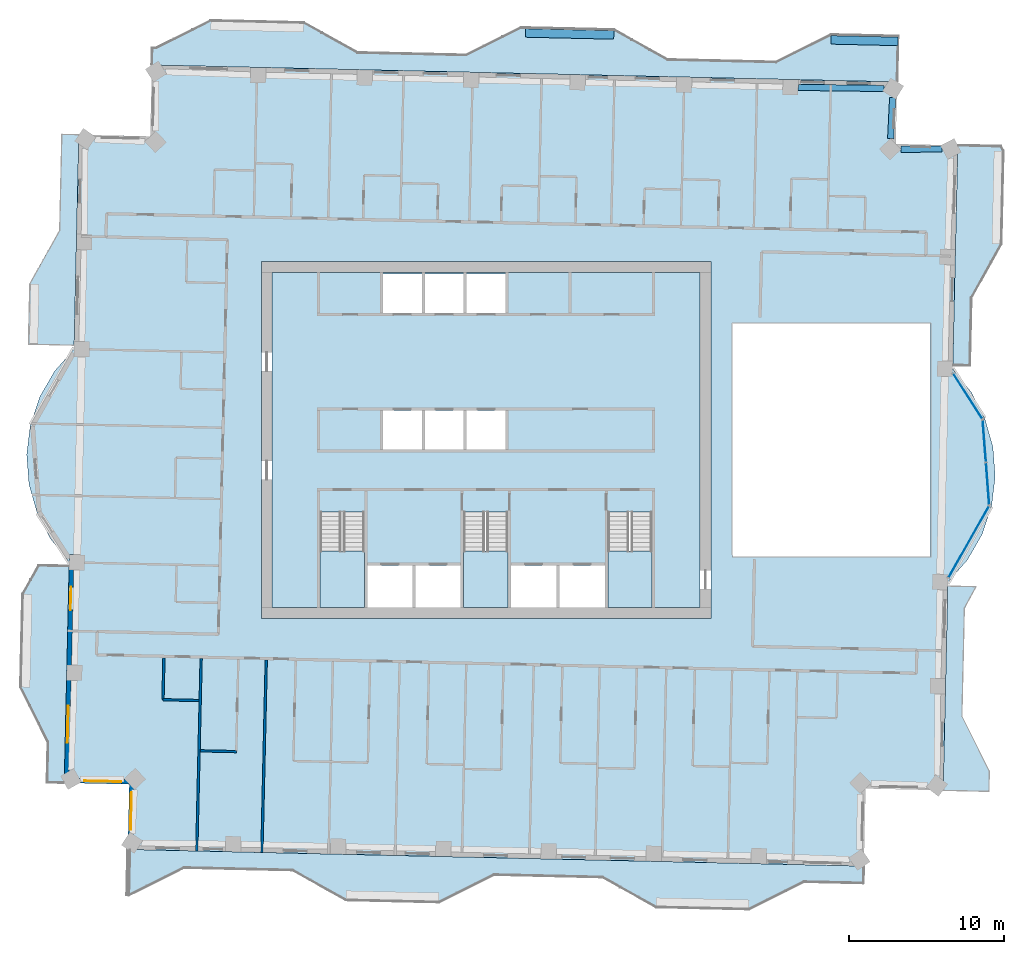
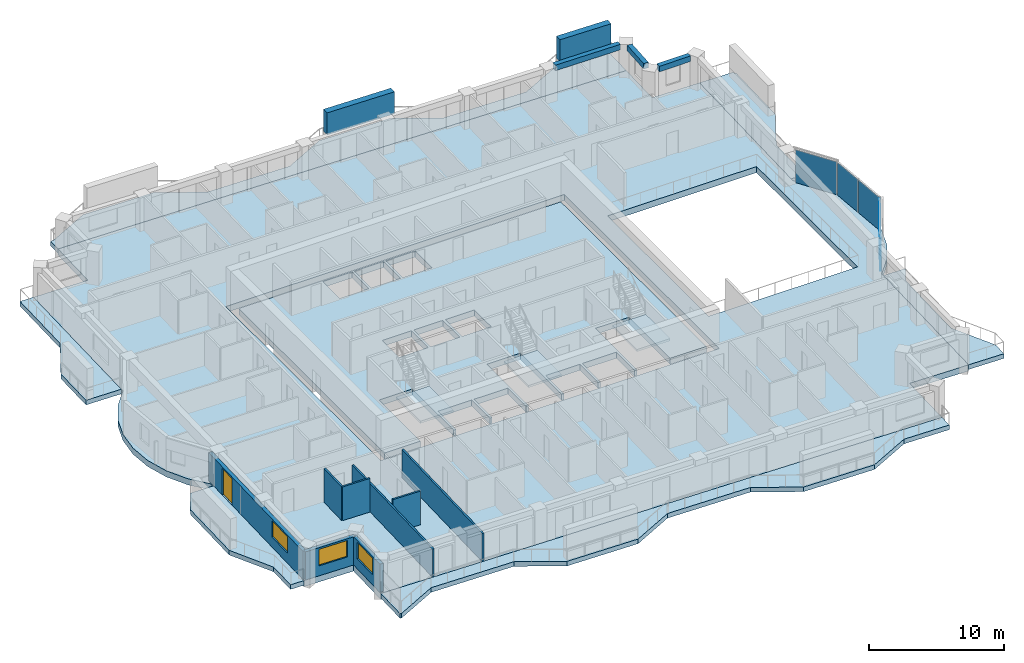
# One storey, part 5 of 17: 11 slabs, 8 walls, 4 plates, 3 beams, 3 windows, 2 members, 1 door, 4 openings, 6 elements without a shape of their own.
"""IFC4 building model written with IfcOpenShell, lengths in metres."""

import ifcopenshell
import ifcopenshell.guid

model = None  # the IFC model being written
_history = None  # IfcOwnerHistory: only IFC2X3 demands one
_inside = {}  # id of a spatial element -> (the spatial element, [elements in it])
_under = {}  # id of a project, library or spatial element -> (it, [spatial elements below it])
_declared = {}  # id of a project -> (the project, [libraries it declares])
_typed = {}  # id of a type object -> (the type object, [elements of that type])
_made_of = {}  # id of a material, layer set ... -> (it, [elements and type objects made of it])


def new_model(schema):
    """Start an empty IFC model of exactly this schema.

    Asked for "IFC4X3", IfcOpenShell would pick the latest addendum, in which some entities
    have other attributes; the version numbers below select the first issue.
    IFC2X3 requires an IfcOwnerHistory on every rooted entity: one is made here for all.
    """
    global model, _history
    if schema == "IFC4X3":
        model = ifcopenshell.file(schema_version=(4, 3, 0, 0))
    else:
        model = ifcopenshell.file(schema=schema)
    _inside.clear()
    _under.clear()
    _declared.clear()
    _typed.clear()
    _made_of.clear()
    _history = None
    if model.schema == "IFC2X3":
        org = make("IfcOrganization", Name="unknown")
        user = make(
            "IfcPersonAndOrganization",
            ThePerson=make("IfcPerson", FamilyName="unknown"),
            TheOrganization=org,
        )
        app = make(
            "IfcApplication",
            ApplicationDeveloper=org,
            Version="unknown",
            ApplicationFullName="unknown",
            ApplicationIdentifier="unknown",
        )
        _history = make(
            "IfcOwnerHistory",
            OwningUser=user,
            OwningApplication=app,
            ChangeAction="ADDED",
            CreationDate=0,
        )
    return model


def make(cls, **values):
    """One entity of the class cls with the attributes given. An attribute that is None is left unset."""
    return model.create_entity(
        cls, **{name: value for name, value in values.items() if value is not None}
    )


def rooted(cls, **values):
    """An entity with a GlobalId (a new one), such as an element, a storey or a relation."""
    return make(cls, GlobalId=ifcopenshell.guid.new(), OwnerHistory=_history, **values)


def si_unit(unit_type, name, prefix=None):
    """IfcSIUnit, for example si_unit("LENGTHUNIT", "METRE", prefix="MILLI")."""
    return make("IfcSIUnit", UnitType=unit_type, Prefix=prefix, Name=name)


def assignment(units):
    """IfcUnitAssignment: the units of a project."""
    return None if units is None else make("IfcUnitAssignment", Units=units)


def point(xyz):
    """IfcCartesianPoint."""
    return None if xyz is None else make("IfcCartesianPoint", Coordinates=xyz)


def direction(xyz):
    """IfcDirection."""
    return None if xyz is None else make("IfcDirection", DirectionRatios=xyz)


def frame(location, z_axis=None, x_axis=None):
    """IfcAxis2Placement3D, a coordinate frame: its origin and axes. An axis left out is left unset."""
    return make(
        "IfcAxis2Placement3D",
        Location=point(location),
        Axis=direction(z_axis),
        RefDirection=direction(x_axis),
    )


def frame_2d(location, x_axis=None):
    """IfcAxis2Placement2D, a coordinate frame in the plane: its origin and x axis."""
    return make(
        "IfcAxis2Placement2D", Location=point(location), RefDirection=direction(x_axis)
    )


def origin():
    """The frame at (0, 0, 0) with its axes left unset."""
    return frame((0.0, 0.0, 0.0))


def origin_2d():
    """The frame at (0, 0) in the plane with its x axis left unset."""
    return frame_2d((0.0, 0.0))


def place(relative_to, where):
    """IfcLocalPlacement: puts the frame where relative to a parent placement (None: the world)."""
    return make(
        "IfcLocalPlacement", PlacementRelTo=relative_to, RelativePlacement=where
    )


def context(
    kind, dimensions, precision=None, world=None, true_north=None, identifier=None
):
    """IfcGeometricRepresentationContext, for example the 3D "Model" context."""
    return make(
        "IfcGeometricRepresentationContext",
        ContextIdentifier=identifier,
        ContextType=kind,
        CoordinateSpaceDimension=dimensions,
        Precision=precision,
        WorldCoordinateSystem=world,
        TrueNorth=true_north,
    )


def subcontext(parent, identifier, kind, view, scale=None):
    """IfcGeometricRepresentationSubContext, for example "Body" below "Model"."""
    return make(
        "IfcGeometricRepresentationSubContext",
        ContextIdentifier=identifier,
        ContextType=kind,
        ParentContext=parent,
        TargetScale=scale,
        TargetView=view,
    )


def project(units=None, contexts=None):
    """IfcProject with its units and contexts."""
    return rooted(
        "IfcProject",
        Name="project",
        RepresentationContexts=contexts,
        UnitsInContext=assignment(units),
    )


def spatial(cls, under=None, at=None, **own):
    """A site, building, storey or space (cls), placed at a placement, below another one or the project."""
    s = rooted(cls, ObjectPlacement=at, **own)
    if under is not None:
        _under.setdefault(under.id(), (under, []))[1].append(s)
    return s


def polyline(points):
    """IfcPolyline through the points."""
    return make("IfcPolyline", Points=[point(p) for p in points])


def profile(cls, at=None, kind="AREA", **sizes):
    """A parametric profile (cls). Its sizes go by their IFC names, for example OverallWidth=200.0."""
    return make(cls, ProfileType=kind, Position=at, **sizes)


def rectangle(**sizes):
    """IfcRectangleProfileDef."""
    return profile("IfcRectangleProfileDef", **sizes)


def outline(outer, holes=None, kind="AREA"):
    """IfcArbitraryClosedProfileDef: a profile drawn as a closed curve; with holes, ...WithVoids."""
    if holes is None:
        return make("IfcArbitraryClosedProfileDef", ProfileType=kind, OuterCurve=outer)
    return make(
        "IfcArbitraryProfileDefWithVoids",
        ProfileType=kind,
        OuterCurve=outer,
        InnerCurves=holes,
    )


def extrude(swept, where, along, depth):
    """IfcExtrudedAreaSolid: the profile swept, set in the frame where, extruded along a direction by depth."""
    return make(
        "IfcExtrudedAreaSolid",
        SweptArea=swept,
        Position=where,
        ExtrudedDirection=direction(along),
        Depth=depth,
    )


def shape(context_of_items, identifier, shape_type, items):
    """IfcShapeRepresentation: the items that make up one representation, for example the "Body"."""
    return make(
        "IfcShapeRepresentation",
        ContextOfItems=context_of_items,
        RepresentationIdentifier=identifier,
        RepresentationType=shape_type,
        Items=items,
    )


def material(Name=None, Category=None):
    """IfcMaterial."""
    return make("IfcMaterial", Name=Name, Category=Category)


def layer(
    of_material, thickness, ventilated=None, Name=None, Category=None, Priority=None
):
    """IfcMaterialLayer: one layer of a wall or slab, of a material (None: an air gap)."""
    return make(
        "IfcMaterialLayer",
        Material=of_material,
        LayerThickness=thickness,
        IsVentilated=ventilated,
        Name=Name,
        Category=Category,
        Priority=Priority,
    )


def layer_set(layers, Name=None):
    """IfcMaterialLayerSet."""
    return make("IfcMaterialLayerSet", MaterialLayers=layers, LayerSetName=Name)


def material_profile(
    of_material, cross_section, Name=None, Category=None, Priority=None
):
    """IfcMaterialProfile: a cross section and its material."""
    return make(
        "IfcMaterialProfile",
        Name=Name,
        Material=of_material,
        Profile=cross_section,
        Priority=Priority,
        Category=Category,
    )


def profile_set(profiles, Name=None, composite=None):
    """IfcMaterialProfileSet."""
    return make(
        "IfcMaterialProfileSet",
        Name=Name,
        MaterialProfiles=profiles,
        CompositeProfile=composite,
    )


def made_of(thing, what):
    """Note that an element or type object is made of a material, layer set ...; save() writes the relation."""
    if what is not None:
        _made_of.setdefault(what.id(), (what, []))[1].append(thing)
    return thing


def type_object(cls, material=None, **own):
    """A type object (cls), such as IfcWallType, which elements share."""
    return made_of(rooted(cls, **own), material)


def element(
    cls,
    number,
    at=None,
    inside=None,
    cuts=None,
    type_object=None,
    material=None,
    context=None,
    identifier="Body",
    shape_type=None,
    held_by="IfcProductDefinitionShape",
    body=None,
    shapes=None,
    **own,
):
    """One element of the class cls, such as IfcWall. Its Tag is "e" and its number.

    at: its placement. inside: the storey or other place that contains it. cuts: it is an
    opening in that element (IfcRelVoidsElement). A single representation is given by context,
    identifier, shape_type and body (its items); several are given by shapes. held_by: the class
    of the entity that holds the representations. save() writes the other relations.
    """
    e = rooted(cls, Tag="e%d" % number, ObjectPlacement=at, **own)
    if body is not None:
        shapes = [shape(context, identifier, shape_type, body)]
    if shapes is not None:
        e.Representation = make(held_by, Representations=shapes)
    if inside is not None:
        _inside.setdefault(inside.id(), (inside, []))[1].append(e)
    if cuts is not None:
        rooted(
            "IfcRelVoidsElement", RelatingBuildingElement=cuts, RelatedOpeningElement=e
        )
    if type_object is not None:
        _typed.setdefault(type_object.id(), (type_object, []))[1].append(e)
    return made_of(e, material)


def fill(opening, filler):
    """IfcRelFillsElement: the door or window that sits in an opening."""
    return rooted(
        "IfcRelFillsElement",
        RelatingOpeningElement=opening,
        RelatedBuildingElement=filler,
    )


def aggregate(whole, parts):
    """IfcRelAggregates: a whole, such as a stair, and the parts it consists of."""
    return rooted("IfcRelAggregates", RelatingObject=whole, RelatedObjects=parts)


def save(model, path):
    """Write the relations noted so far, then the file.

    IfcRelAggregates (storeys below a building ...), IfcRelContainedInSpatialStructure (elements
    in a storey), IfcRelDefinesByType, IfcRelAssociatesMaterial and IfcRelDeclares: one each for
    every whole, place, type object, material and project.
    """
    for whole, parts in _under.values():
        aggregate(whole, parts)
    for where, things in _inside.values():
        rooted(
            "IfcRelContainedInSpatialStructure",
            RelatedElements=things,
            RelatingStructure=where,
        )
    for kind, things in _typed.values():
        rooted("IfcRelDefinesByType", RelatedObjects=things, RelatingType=kind)
    for what, things in _made_of.values():
        rooted("IfcRelAssociatesMaterial", RelatedObjects=things, RelatingMaterial=what)
    for by, libraries in _declared.values():
        rooted("IfcRelDeclares", RelatingContext=by, RelatedDefinitions=libraries)
    model.write(path)


model = new_model("IFC4")

# Units and contexts
model_context = context("Model", 3, precision=1e-05, world=origin(), true_north=direction((0.0, 1.0)))
body_context = subcontext(model_context, "Body", "Model", "MODEL_VIEW")
ifc_project = project(units=[si_unit("LENGTHUNIT", "METRE"), si_unit("AREAUNIT", "SQUARE_METRE"), si_unit("VOLUMEUNIT", "CUBIC_METRE"), si_unit("PLANEANGLEUNIT", "RADIAN"), si_unit("MASSUNIT", "GRAM", prefix="KILO")], contexts=[model_context])

# Site, building, storey
site_placement = place(None, origin())
site = spatial("IfcSite", under=ifc_project, at=site_placement, CompositionType="ELEMENT")
building_placement = place(site_placement, origin())
building = spatial("IfcBuilding", under=site, at=building_placement, Name="Mangrove Gate Tower", CompositionType="ELEMENT")
storey_placement = place(building_placement, frame((0.0, 0.0, 264.5)))
storey = spatial("IfcBuildingStorey", under=building, at=storey_placement, Name="L67", CompositionType="ELEMENT", Elevation=264.5)

# Members
ifc_material_1 = material(Name="Planting on aluminium trellis", Category="aluminium")
ifc_material_profile_1 = material_profile(ifc_material_1, rectangle(XDim=0.550048828125, YDim=2.0, at=origin_2d()))
ifc_profile_set_1 = profile_set([ifc_material_profile_1], Name="Planting on aluminium trellis")
member_type = type_object("IfcMemberType", Name="Balcony greenery screen 550x2000", PredefinedType="USERDEFINED", material=ifc_profile_set_1)
member_1_placement = place(storey_placement, frame((2.533935546875, 26.2509765625, 1.800048828125), z_axis=(0.999744196375, -0.022617290187, 0.0), x_axis=(0.022617290187, 0.999744196375, 0.0)))
element("IfcMember", 1, at=member_1_placement, inside=storey, type_object=member_type, Name="GREEN SCREEN L67 N0.1", ObjectType="PLANTING", PredefinedType="USERDEFINED", context=body_context, shape_type="SweptSolid", body=[
    extrude(rectangle(XDim=0.550048828125, YDim=2.0, at=origin_2d()), origin(), (0.0, 0.0, 1.0), 5.699462890625),
])
member_2_placement = place(storey_placement, frame((22.22802734375, 25.803955078125, 1.800048828125), z_axis=(0.999745080894, -0.022578158225, 0.0), x_axis=(0.022578158225, 0.999745080894, 0.0)))
element("IfcMember", 2, at=member_2_placement, inside=storey, type_object=member_type, Name="GREEN SCREEN L67 N0.2", ObjectType="PLANTING", PredefinedType="USERDEFINED", context=body_context, shape_type="SweptSolid", body=[
    extrude(rectangle(XDim=0.550048828125, YDim=2.0, at=origin_2d()), origin(), (0.0, 0.0, 1.0), 4.336181640625),
])

# Beams
ifc_material_2 = material(Name="Concrete C50/60", Category="concrete")
ifc_material_profile_2 = material_profile(ifc_material_2, rectangle(XDim=0.39990234375, YDim=0.5, at=origin_2d()))
ifc_profile_set_2 = profile_set([ifc_material_profile_2], Name="Concrete C50/60")
beam_type = type_object("IfcBeamType", Name="Edge beam RC 400x500 C50/60", PredefinedType="BEAM", material=ifc_profile_set_2)
beam_1_placement = place(storey_placement, frame((29.40625, 18.76611328125, 2.800048828125), z_axis=(-0.999982838494, -0.005858559288, 0.0), x_axis=(0.005858559288, -0.999982838494, 0.0)))
element("IfcBeam", 3, at=beam_1_placement, inside=storey, type_object=beam_type, Name="Edge beam L67 18", PredefinedType="BEAM", context=body_context, shape_type="SweptSolid", body=[
    extrude(rectangle(XDim=0.39990234375, YDim=0.5, at=origin_2d()), origin(), (0.0, 0.0, 1.0), 2.6669921875),
])
beam_2_placement = place(storey_placement, frame((26.085205078125, 19.43505859375, 2.800048828125), z_axis=(0.048675713211, 0.998814634927, 0.0), x_axis=(-0.998814634927, 0.048675713211, 0.0)))
element("IfcBeam", 4, at=beam_2_placement, inside=storey, type_object=beam_type, Name="Edge beam L67 19", PredefinedType="BEAM", context=body_context, shape_type="SweptSolid", body=[
    extrude(rectangle(XDim=0.39990234375, YDim=0.5, at=origin_2d()), origin(), (0.0, 0.0, 1.0), 2.663330078125),
])
beam_3_placement = place(storey_placement, frame((25.660400390625, 22.672119140625, 2.800048828125), z_axis=(-0.999922612995, 0.012440579585, 0.0), x_axis=(-0.012440579585, -0.999922612995, 0.0)))
element("IfcBeam", 5, at=beam_3_placement, inside=storey, type_object=beam_type, Name="Edge beam L67 20", PredefinedType="BEAM", context=body_context, shape_type="SweptSolid", body=[
    extrude(rectangle(XDim=0.39990234375, YDim=0.5, at=origin_2d()), origin(), (0.0, 0.0, 1.0), 5.5341796875),
])

# Curtain wall, plate
ifc_material_3 = material(Name="Aluminium and glass curtain wall", Category="aluminium")
curtain_wall_type = type_object("IfcCurtainWallType", Name="Atrium garden-court glazing wall", PredefinedType="NOTDEFINED", material=ifc_material_3)
curtain_wall_1_placement = place(storey_placement, origin())
curtain_wall_1 = element("IfcCurtainWall", 6, at=curtain_wall_1_placement, inside=storey, type_object=curtain_wall_type, Name="Atrium garden-court glazing E1f1", PredefinedType="NOTDEFINED")
ifc_material_4 = material(Name="Laminated low-e glass", Category="glass")
ifc_layer_1 = layer(ifc_material_4, 0.031982421875)
ifc_layer_set_1 = layer_set([ifc_layer_1], Name="Atrium garden-court glazing panel 32")
plate_type = type_object("IfcPlateType", Name="Atrium garden-court glazing panel 32", PredefinedType="CURTAIN_PANEL", material=ifc_layer_set_1)
plate_1_placement = place(storey_placement, frame((31.117919921875, -6.572509765625, 0.0), z_axis=(0.0, 0.0, 1.0), x_axis=(0.492567972087, 0.870273975754, 0.0)))
plate_1 = element("IfcPlate", 7, at=plate_1_placement, type_object=plate_type, Name="CWA panel 1.1", PredefinedType="CURTAIN_PANEL", context=body_context, shape_type="SweptSolid", body=[
    extrude(rectangle(XDim=5.257568359375, YDim=0.031982421875, at=origin_2d()), origin(), (0.0, 0.0, 1.0), 2.97998046875),
])
aggregate(curtain_wall_1, [plate_1])

# Curtain wall, plates
curtain_wall_2_placement = place(storey_placement, origin())
curtain_wall_2 = element("IfcCurtainWall", 8, at=curtain_wall_2_placement, inside=storey, type_object=curtain_wall_type, Name="Atrium garden-court glazing E1f2", PredefinedType="NOTDEFINED")
plate_2_placement = place(storey_placement, frame((32.338623046875, -2.817138671875, 0.0), z_axis=(0.0, 0.0, 1.0), x_axis=(-0.077023348403, 0.997029289339, 0.0)))
plate_2 = element("IfcPlate", 9, at=plate_2_placement, type_object=plate_type, Name="CWA panel 1.1", PredefinedType="CURTAIN_PANEL", context=body_context, shape_type="SweptSolid", body=[
    extrude(rectangle(XDim=2.681640625, YDim=0.031982421875, at=origin_2d()), origin(), (0.0, 0.0, 1.0), 2.97998046875),
])
plate_3_placement = place(storey_placement, frame((32.126708984375, -0.07373046875, 0.0), z_axis=(0.0, 0.0, 1.0), x_axis=(-0.077023348403, 0.997029289339, 0.0)))
plate_3 = element("IfcPlate", 10, at=plate_3_placement, type_object=plate_type, Name="CWA panel 2.1", PredefinedType="CURTAIN_PANEL", context=body_context, shape_type="SweptSolid", body=[
    extrude(rectangle(XDim=2.681640625, YDim=0.031982421875, at=origin_2d()), origin(), (0.0, 0.0, 1.0), 2.97998046875),
])
aggregate(curtain_wall_2, [plate_2, plate_3])

# Curtain wall, plate
curtain_wall_3_placement = place(storey_placement, origin())
curtain_wall_3 = element("IfcCurtainWall", 11, at=curtain_wall_3_placement, inside=storey, type_object=curtain_wall_type, Name="Atrium garden-court glazing E1f3", PredefinedType="NOTDEFINED")
plate_4_placement = place(storey_placement, frame((31.0537109375, 2.833984375, 0.0), z_axis=(0.0, 0.0, 1.0), x_axis=(-0.540498107045, 0.841345230141, 0.0)))
plate_4 = element("IfcPlate", 12, at=plate_4_placement, type_object=plate_type, Name="CWA panel 1.1", PredefinedType="CURTAIN_PANEL", context=body_context, shape_type="SweptSolid", body=[
    extrude(rectangle(XDim=3.427978515625, YDim=0.031982421875, at=origin_2d()), origin(), (0.0, 0.0, 1.0), 2.97998046875),
])
aggregate(curtain_wall_3, [plate_4])

# Slabs
ifc_material_5 = material(Name="Porcelain tile")
ifc_layer_2 = layer(ifc_material_5, 0.02001953125, Name="Tile finish")
ifc_material_6 = material(Name="Cement sand screed")
ifc_layer_3 = layer(ifc_material_6, 0.0400390625, Name="Screed laid to falls")
ifc_material_7 = material(Name="Bituminous waterproofing membrane")
ifc_layer_4 = layer(ifc_material_7, 0.00390625, Name="Waterproofing")
ifc_material_8 = material(Name="Concrete C40/50", Category="concrete")
ifc_layer_5 = layer(ifc_material_8, 0.340087890625, Name="Balcony structural slab")
ifc_material_9 = material(Name="Limestone", Category="masonry")
ifc_layer_6 = layer(ifc_material_9, 0.01611328125, Name="Soffit lining")
ifc_layer_set_2 = layer_set([ifc_layer_2, ifc_layer_3, ifc_layer_4, ifc_layer_5, ifc_layer_6], Name="Balcony slab 420 C40/50")
slab_type_1 = type_object("IfcSlabType", Name="Balcony slab 420 C40/50", PredefinedType="FLOOR", material=ifc_layer_set_2)
slab_1_placement = place(storey_placement, frame((0.0, 0.0, -0.419921875)))
element("IfcSlab", 13, at=slab_1_placement, inside=storey, type_object=slab_type_1, Name="BALCONY L67 E0", PredefinedType="FLOOR", context=body_context, shape_type="SweptSolid", body=[
    extrude(outline(polyline([(32.45703125, -22.655029296875), (32.487060546875, -21.35595703125), (30.717041015625, -17.81494140625), (30.8759765625, -10.81689453125), (31.633056640625, -9.458984375), (29.76708984375, -9.416015625), (29.736083984375, -10.791015625), (29.576904296875, -17.7890625), (29.498046875, -21.2880859375), (29.468017578125, -22.587890625), (32.45703125, -22.655029296875)])), origin(), (0.0, 0.0, 1.0), 0.419921875),
])
slab_2_placement = place(storey_placement, frame((0.0, 0.0, -0.419921875)))
element("IfcSlab", 14, at=slab_2_placement, inside=storey, type_object=slab_type_1, Name="BALCONY L67 E1", PredefinedType="FLOOR", context=body_context, shape_type="SweptSolid", body=[
    extrude(outline(polyline([(31.22998046875, 4.804931640625), (31.3291015625, 9.177978515625), (33.258056640625, 12.635009765625), (33.39404296875, 18.634033203125), (33.242919921875, 18.93701171875), (30.412109375, 19.001953125), (30.405029296875, 18.701904296875), (30.26904296875, 12.702880859375), (30.18994140625, 9.2041015625), (30.090087890625, 4.8310546875), (31.22998046875, 4.804931640625)])), origin(), (0.0, 0.0, 1.0), 0.419921875),
])
slab_3_placement = place(storey_placement, frame((0.0, 0.0, -0.419921875)))
element("IfcSlab", 15, at=slab_3_placement, inside=storey, type_object=slab_type_1, Name="BALCONY L67 N0", PredefinedType="FLOOR", context=body_context, shape_type="SweptSolid", body=[
    extrude(outline(polyline([(26.572021484375, 26.0810546875), (22.237060546875, 26.178955078125), (18.696044921875, 24.408935546875), (11.697021484375, 24.568115234375), (8.239990234375, 26.4970703125), (2.241943359375, 26.633056640625), (-1.299072265625, 24.864013671875), (-8.297119140625, 25.02099609375), (-11.7548828125, 26.949951171875), (-17.7529296875, 27.0859375), (-21.2939453125, 25.31689453125), (-21.530029296875, 25.322021484375), (-21.555908203125, 24.181884765625), (2.174072265625, 23.64306640625), (2.47412109375, 23.636962890625), (26.50390625, 23.091064453125), (26.572021484375, 26.0810546875)])), origin(), (0.0, 0.0, 1.0), 0.419921875),
])
slab_4_placement = place(storey_placement, frame((0.0, 0.0, -0.419921875)))
element("IfcSlab", 16, at=slab_4_placement, inside=storey, type_object=slab_type_1, Name="BALCONY L67 W0", PredefinedType="FLOOR", context=body_context, shape_type="SweptSolid", body=[
    extrude(outline(polyline([(-27.39892578125, 19.712890625), (-27.5390625, 13.514892578125), (-29.468017578125, 10.05810546875), (-29.555908203125, 6.18408203125), (-26.56689453125, 6.115966796875), (-26.47900390625, 9.989990234375), (-26.39990234375, 13.489013671875), (-26.259033203125, 19.68798828125), (-27.39892578125, 19.712890625)])), origin(), (0.0, 0.0, 1.0), 0.419921875),
])
slab_5_placement = place(storey_placement, frame((0.0, 0.0, -0.419921875)))
element("IfcSlab", 17, at=slab_5_placement, inside=storey, type_object=slab_type_1, Name="BALCONY L67 W1", PredefinedType="FLOOR", context=body_context, shape_type="SweptSolid", body=[
    extrude(outline(polyline([(-28.888916015625, -8.0849609375), (-29.922119140625, -9.93701171875), (-30.05810546875, -15.93505859375), (-28.2880859375, -19.47705078125), (-28.346923828125, -22.075927734375), (-27.20703125, -22.10205078125), (-27.14794921875, -19.501953125), (-27.069091796875, -16.0029296875), (-26.93310546875, -10.0048828125), (-26.889892578125, -8.131103515625), (-28.888916015625, -8.0849609375)])), origin(), (0.0, 0.0, 1.0), 0.419921875),
])
slab_6_placement = place(storey_placement, frame((0.0, 0.0, -0.419921875)))
element("IfcSlab", 18, at=slab_6_placement, inside=storey, type_object=slab_type_1, Name="BALCONY L67 S0", PredefinedType="FLOOR", context=body_context, shape_type="SweptSolid", body=[
    extrude(outline(polyline([(-23.172119140625, -29.385009765625), (-23.035888671875, -29.387939453125), (-19.4951171875, -27.617919921875), (-12.49609375, -27.777099609375), (-9.0390625, -29.7060546875), (-3.041015625, -29.842041015625), (0.5, -28.072021484375), (7.498046875, -28.23095703125), (10.9560546875, -30.159912109375), (16.9541015625, -30.2958984375), (20.4951171875, -28.527099609375), (24.330078125, -28.613037109375), (24.35595703125, -27.472900390625), (-23.10400390625, -26.39599609375), (-23.172119140625, -29.385009765625)])), origin(), (0.0, 0.0, 1.0), 0.419921875),
])
ifc_material_10 = material(Name="Concrete C40/50", Category="concrete")
ifc_layer_7 = layer(ifc_material_10, 0.550048828125)
ifc_layer_set_3 = layer_set([ifc_layer_7], Name="Core floor slab 550 C40/50")
slab_type_2 = type_object("IfcSlabType", Name="Core floor slab 550 C40/50", PredefinedType="FLOOR", material=ifc_layer_set_3)
slab_7_placement = place(storey_placement, frame((0.0, 0.0, -0.550048828125)))
element("IfcSlab", 19, at=slab_7_placement, inside=storey, type_object=slab_type_2, Name="SLAB-L67-CORE-1", PredefinedType="FLOOR", context=body_context, shape_type="SweptSolid", body=[
    extrude(outline(polyline([(-13.800048828125, -10.800048828125), (-13.800048828125, 10.800048828125), (13.800048828125, 10.800048828125), (13.800048828125, -10.800048828125), (10.699951171875, -10.800048828125), (10.699951171875, -4.653076171875), (7.85009765625, -4.653076171875), (7.85009765625, -10.800048828125), (7.64990234375, -10.800048828125), (7.64990234375, -8.10009765625), (4.72509765625, -8.10009765625), (4.72509765625, -10.800048828125), (4.52490234375, -10.800048828125), (4.52490234375, -8.10009765625), (1.60009765625, -8.10009765625), (1.60009765625, -10.800048828125), (1.39990234375, -10.800048828125), (1.39990234375, -4.653076171875), (-1.449951171875, -4.653076171875), (-1.449951171875, -10.800048828125), (-1.64990234375, -10.800048828125), (-1.64990234375, -8.10009765625), (-4.550048828125, -8.10009765625), (-4.550048828125, -10.800048828125), (-4.75, -10.800048828125), (-4.75, -8.10009765625), (-7.64990234375, -8.10009765625), (-7.64990234375, -10.800048828125), (-7.85009765625, -10.800048828125), (-7.85009765625, -4.653076171875), (-10.699951171875, -4.653076171875), (-10.699951171875, -10.800048828125), (-13.800048828125, -10.800048828125)]), holes=[polyline([(-4.14990234375, 1.89990234375), (-6.64990234375, 1.89990234375), (-6.64990234375, -0.60009765625), (-4.14990234375, -0.60009765625), (-4.14990234375, 1.89990234375)]), polyline([(-1.449951171875, -0.60009765625), (-1.449951171875, 1.89990234375), (-3.949951171875, 1.89990234375), (-3.949951171875, -0.60009765625), (-1.449951171875, -0.60009765625)]), polyline([(-4.14990234375, 8.199951171875), (-4.14990234375, 10.699951171875), (-6.64990234375, 10.699951171875), (-6.64990234375, 8.199951171875), (-4.14990234375, 8.199951171875)]), polyline([(-1.449951171875, 10.699951171875), (-3.949951171875, 10.699951171875), (-3.949951171875, 8.199951171875), (-1.449951171875, 8.199951171875), (-1.449951171875, 10.699951171875)]), polyline([(1.25, -0.60009765625), (1.25, 1.89990234375), (-1.25, 1.89990234375), (-1.25, -0.60009765625), (1.25, -0.60009765625)]), polyline([(1.25, 8.199951171875), (1.25, 10.699951171875), (-1.25, 10.699951171875), (-1.25, 8.199951171875), (1.25, 8.199951171875)])]), origin(), (0.0, 0.0, 1.0), 0.550048828125),
])

# Stair, slab
ifc_material_11 = material(Name="Concrete C40/50", Category="concrete")
stair_type = type_object("IfcStairType", Name="Core stair 1350", PredefinedType="HALF_TURN_STAIR", material=ifc_material_11)
stair_1_placement = place(storey_placement, origin())
stair_1 = element("IfcStair", 20, at=stair_1_placement, inside=storey, type_object=stair_type, Name="L67 Stair 1", PredefinedType="HALF_TURN_STAIR")
ifc_material_12 = material(Name="Concrete C40/50", Category="concrete")
ifc_layer_8 = layer(ifc_material_12, 0.199951171875)
ifc_layer_set_4 = layer_set([ifc_layer_8], Name="Core stair landing 200")
slab_type_3 = type_object("IfcSlabType", Name="Core stair landing 200", PredefinedType="LANDING", material=ifc_layer_set_4)
slab_8_placement = place(storey_placement, frame((0.0, 0.0, 1.60009765625)))
slab_8 = element("IfcSlab", 21, at=slab_8_placement, type_object=slab_type_3, Name="ST1 landing 1", PredefinedType="LANDING", context=body_context, shape_type="SweptSolid", body=[
    extrude(outline(polyline([(-10.699951171875, -7.169921875), (-10.699951171875, -10.800048828125), (-7.85009765625, -10.800048828125), (-7.85009765625, -7.169921875), (-10.699951171875, -7.169921875)])), origin(), (0.0, 0.0, 1.0), 0.199951171875),
])
aggregate(stair_1, [slab_8])

stair_2_placement = place(storey_placement, origin())
stair_2 = element("IfcStair", 22, at=stair_2_placement, inside=storey, type_object=stair_type, Name="L67 Stair 2", PredefinedType="HALF_TURN_STAIR")
slab_9_placement = place(storey_placement, frame((0.0, 0.0, 1.60009765625)))
slab_9 = element("IfcSlab", 23, at=slab_9_placement, type_object=slab_type_3, Name="ST2 landing 1", PredefinedType="LANDING", context=body_context, shape_type="SweptSolid", body=[
    extrude(outline(polyline([(-1.449951171875, -7.169921875), (-1.449951171875, -10.800048828125), (1.39990234375, -10.800048828125), (1.39990234375, -7.169921875), (-1.449951171875, -7.169921875)])), origin(), (0.0, 0.0, 1.0), 0.199951171875),
])
aggregate(stair_2, [slab_9])

stair_3_placement = place(storey_placement, origin())
stair_3 = element("IfcStair", 24, at=stair_3_placement, inside=storey, type_object=stair_type, Name="L67 Stair 3", PredefinedType="HALF_TURN_STAIR")
slab_10_placement = place(storey_placement, frame((0.0, 0.0, 1.60009765625)))
slab_10 = element("IfcSlab", 25, at=slab_10_placement, type_object=slab_type_3, Name="ST3 landing 1", PredefinedType="LANDING", context=body_context, shape_type="SweptSolid", body=[
    extrude(outline(polyline([(7.85009765625, -7.169921875), (7.85009765625, -10.800048828125), (10.699951171875, -10.800048828125), (10.699951171875, -7.169921875), (7.85009765625, -7.169921875)])), origin(), (0.0, 0.0, 1.0), 0.199951171875),
])
aggregate(stair_3, [slab_10])

# Slab
ifc_material_13 = material(Name="Concrete C40/50", Category="concrete")
ifc_layer_9 = layer(ifc_material_13, 0.550048828125)
ifc_layer_set_5 = layer_set([ifc_layer_9], Name="Floor slab 550 C40/50")
slab_type_4 = type_object("IfcSlabType", Name="Floor slab 550 C40/50", PredefinedType="FLOOR", material=ifc_layer_set_5)
slab_11_placement = place(storey_placement, frame((0.0, 0.0, -0.550048828125)))
element("IfcSlab", 26, at=slab_11_placement, inside=storey, type_object=slab_type_4, Name="Floor slab L67", PredefinedType="FLOOR", context=body_context, shape_type="SweptSolid", body=[
    extrude(outline(polyline([(-23.103759765625, -26.39599609375), (24.35595703125, -27.472900390625), (24.469482421875, -22.47412109375), (29.46826171875, -22.587646484375), (29.772705078125, -9.16650390625), (31.03564453125, -7.72998046875), (31.98876953125, -6.071533203125), (32.59423828125, -4.257080078125), (32.827880859375, -2.358642578125), (32.6806640625, -0.45166015625), (32.158203125, 1.388427734375), (31.28125, 3.08837890625), (30.084716796875, 4.58056640625), (30.411865234375, 19.001708984375), (26.4130859375, 19.09228515625), (26.503662109375, 23.09130859375), (-21.555908203125, 24.181884765625), (-21.66015625, 19.583251953125), (-26.259033203125, 19.6875), (-26.57275390625, 5.866455078125), (-27.835693359375, 4.429931640625), (-28.788818359375, 2.771484375), (-29.394287109375, 0.95703125), (-29.6279296875, -0.94140625), (-29.480712890625, -2.848388671875), (-28.958251953125, -4.6884765625), (-28.081298828125, -6.388427734375), (-26.884765625, -7.880615234375), (-27.20751953125, -22.101806640625), (-23.008544921875, -22.197021484375), (-23.103759765625, -26.39599609375)]), holes=[polyline([(15.89990234375, 7.5), (28.658935546875, 7.5), (28.658935546875, -7.5), (15.89990234375, -7.5), (15.89990234375, 7.5)]), polyline([(-14.5, -11.5), (-14.5, 11.5), (14.5, 11.5), (14.5, -11.5), (-14.5, -11.5)])]), origin(), (0.0, 0.0, 1.0), 0.550048828125),
])

# Wall, openings, door, window
ifc_layer_10 = layer(ifc_material_9, 0.0400390625, Name="Limestone cladding")
ifc_material_14 = material(Name="Ventilated air gap")
ifc_layer_11 = layer(ifc_material_14, 0.0400390625, Name="Ventilated cavity")
ifc_material_15 = material(Name="Mineral wool insulation")
ifc_layer_12 = layer(ifc_material_15, 0.06005859375, Name="Insulation")
ifc_material_16 = material(Name="Breather membrane")
ifc_layer_13 = layer(ifc_material_16, 0.001953125, Name="Breather membrane")
ifc_material_17 = material(Name="Concrete C20/25 blockwork", Category="masonry")
ifc_layer_14 = layer(ifc_material_17, 0.14990234375, Name="Blockwork backing wall")
ifc_material_18 = material(Name="Gypsum plaster")
ifc_layer_15 = layer(ifc_material_18, 0.008056640625, Name="Internal plaster")
ifc_layer_set_6 = layer_set([ifc_layer_10, ifc_layer_11, ifc_layer_12, ifc_layer_13, ifc_layer_14, ifc_layer_15], Name="External wall 300 limestone cladding")
wall_type_1 = type_object("IfcWallType", Name="External wall 300 limestone cladding", PredefinedType="SOLIDWALL", material=ifc_layer_set_6)
wall_1_placement = place(storey_placement, frame((-26.722900390625, -7.385009765625, 0.0), z_axis=(0.0, 0.0, 1.0), x_axis=(-0.022715697396, -0.999741965255, 0.0)))
wall_1 = element("IfcWall", 27, at=wall_1_placement, inside=storey, type_object=wall_type_1, Name="WALL-L67-W10s1", PredefinedType="SOLIDWALL", context=body_context, shape_type="SweptSolid", body=[
    extrude(rectangle(XDim=14.57373046875, YDim=0.300048828125, at=frame_2d((7.286865234375, 0.0))), origin(), (0.0, 0.0, 1.0), 2.550048828125),
])
opening_1_placement = place(wall_1_placement, frame((2.0869140625, 0.0, 0.0)))
opening_1 = element("IfcOpeningElement", 28, at=opening_1_placement, cuts=wall_1, Name="Opening BD1", PredefinedType="OPENING", context=body_context, shape_type="SweptSolid", body=[
    extrude(rectangle(XDim=1.5, YDim=2.39990234375, at=frame_2d((0.75, 1.199951171875))), frame((0.0, 0.159912109375, 0.0), z_axis=(0.0, -1.0, 0.0), x_axis=(1.0, 0.0, 0.0)), (0.0, 0.0, 1.0), 0.320068359375),
])
opening_2_placement = place(wall_1_placement, frame((9.7490234375, 0.0, 0.89990234375)))
opening_2 = element("IfcOpeningElement", 29, at=opening_2_placement, cuts=wall_1, Name="Opening W2", PredefinedType="OPENING", context=body_context, shape_type="SweptSolid", body=[
    extrude(rectangle(XDim=2.39990234375, YDim=1.5, at=frame_2d((1.199951171875, 0.75))), frame((0.0, 0.159912109375, 0.0), z_axis=(0.0, -1.0, 0.0), x_axis=(1.0, 0.0, 0.0)), (0.0, 0.0, 1.0), 0.320068359375),
])
ifc_material_19 = material(Name="Aluminium frame with laminated clear glass", Category="aluminium")
door_type = type_object("IfcDoorType", Name="Balcony sliding door 1500x2400", OperationType="SLIDING_TO_LEFT", PredefinedType="DOOR", material=ifc_material_19)
door_placement = place(opening_1_placement, origin())
door = element("IfcDoor", 30, at=door_placement, inside=storey, type_object=door_type, Name="DOOR-L67-W10-1", OperationType="SLIDING_TO_LEFT", OverallHeight=2.39990234375, OverallWidth=1.5, PredefinedType="DOOR", context=body_context, shape_type="SweptSolid", body=[
    extrude(rectangle(XDim=1.5, YDim=2.39990234375, at=frame_2d((0.75, 1.199951171875))), frame((0.0, 0.02490234375, 0.0), z_axis=(0.0, -1.0, 0.0), x_axis=(1.0, 0.0, 0.0)), (0.0, 0.0, 1.0), 0.050048828125),
])
fill(opening_1, door)
ifc_material_20 = material(Name="Aluminium frame with double-glazed low-e glass", Category="aluminium")
window_type = type_object("IfcWindowType", Name="Corner room window 2400x1500", PartitioningType="DOUBLE_PANEL_VERTICAL", PredefinedType="WINDOW", material=ifc_material_20)
window_1_placement = place(opening_2_placement, origin())
window_1 = element("IfcWindow", 31, at=window_1_placement, inside=storey, type_object=window_type, Name="WIN-L67-W10-2", OverallHeight=1.5, OverallWidth=2.39990234375, PartitioningType="DOUBLE_PANEL_VERTICAL", PredefinedType="WINDOW", context=body_context, shape_type="SweptSolid", body=[
    extrude(rectangle(XDim=2.39990234375, YDim=1.5, at=frame_2d((1.199951171875, 0.75))), frame((0.0, 0.030029296875, 0.0), z_axis=(0.0, -1.0, 0.0), x_axis=(1.0, 0.0, 0.0)), (0.0, 0.0, 1.0), 0.06005859375),
])
fill(opening_2, window_1)

# Wall, opening, window
wall_2_placement = place(storey_placement, frame((-27.053955078125, -21.955078125, 0.0), z_axis=(0.0, 0.0, 1.0), x_axis=(0.999744320311, -0.022611811187, 0.0)))
wall_2 = element("IfcWall", 32, at=wall_2_placement, inside=storey, type_object=wall_type_1, Name="WALL-L67-S11", PredefinedType="SOLIDWALL", context=body_context, shape_type="SweptSolid", body=[
    extrude(rectangle(XDim=4.199951171875, YDim=0.300048828125, at=frame_2d((2.10009765625, 0.0))), origin(), (0.0, 0.0, 1.0), 2.550048828125),
])
opening_3_placement = place(wall_2_placement, frame((1.131103515625, 0.0, 0.89990234375)))
opening_3 = element("IfcOpeningElement", 33, at=opening_3_placement, cuts=wall_2, Name="Opening W2", PredefinedType="OPENING", context=body_context, shape_type="SweptSolid", body=[
    extrude(rectangle(XDim=2.39990234375, YDim=1.5, at=frame_2d((1.199951171875, 0.75))), frame((0.0, 0.159912109375, 0.0), z_axis=(0.0, -1.0, 0.0), x_axis=(1.0, 0.0, 0.0)), (0.0, 0.0, 1.0), 0.320068359375),
])
window_2_placement = place(opening_3_placement, origin())
window_2 = element("IfcWindow", 34, at=window_2_placement, inside=storey, type_object=window_type, Name="WIN-L67-S11-1", OverallHeight=1.5, OverallWidth=2.39990234375, PartitioningType="DOUBLE_PANEL_VERTICAL", PredefinedType="WINDOW", context=body_context, shape_type="SweptSolid", body=[
    extrude(rectangle(XDim=2.39990234375, YDim=1.5, at=frame_2d((1.199951171875, 0.75))), frame((0.0, 0.030029296875, 0.0), z_axis=(0.0, -1.0, 0.0), x_axis=(1.0, 0.0, 0.0)), (0.0, 0.0, 1.0), 0.06005859375),
])
fill(opening_3, window_2)

wall_3_placement = place(storey_placement, frame((-22.85498046875, -22.050048828125, 0.0), z_axis=(0.0, 0.0, 1.0), x_axis=(-0.022611811187, -0.999744320311, 0.0)))
wall_3 = element("IfcWall", 35, at=wall_3_placement, inside=storey, type_object=wall_type_1, Name="WALL-L67-W12", PredefinedType="SOLIDWALL", context=body_context, shape_type="SweptSolid", body=[
    extrude(rectangle(XDim=4.199951171875, YDim=0.300048828125, at=frame_2d((2.10009765625, 0.0))), origin(), (0.0, 0.0, 1.0), 2.550048828125),
])
opening_4_placement = place(wall_3_placement, frame((0.669921875, 0.0, 0.89990234375)))
opening_4 = element("IfcOpeningElement", 36, at=opening_4_placement, cuts=wall_3, Name="Opening W2", PredefinedType="OPENING", context=body_context, shape_type="SweptSolid", body=[
    extrude(rectangle(XDim=2.39990234375, YDim=1.5, at=frame_2d((1.199951171875, 0.75))), frame((0.0, 0.159912109375, 0.0), z_axis=(0.0, -1.0, 0.0), x_axis=(1.0, 0.0, 0.0)), (0.0, 0.0, 1.0), 0.320068359375),
])
window_3_placement = place(opening_4_placement, origin())
window_3 = element("IfcWindow", 37, at=window_3_placement, inside=storey, type_object=window_type, Name="WIN-L67-W12-1", OverallHeight=1.5, OverallWidth=2.39990234375, PartitioningType="DOUBLE_PANEL_VERTICAL", PredefinedType="WINDOW", context=body_context, shape_type="SweptSolid", body=[
    extrude(rectangle(XDim=2.39990234375, YDim=1.5, at=frame_2d((1.199951171875, 0.75))), frame((0.0, 0.030029296875, 0.0), z_axis=(0.0, -1.0, 0.0), x_axis=(1.0, 0.0, 0.0)), (0.0, 0.0, 1.0), 0.06005859375),
])
fill(opening_4, window_3)

# Walls
ifc_material_21 = material(Name="Gypsum board on steel stud, EI 60", Category="steel")
ifc_layer_16 = layer(ifc_material_21, 0.14990234375)
ifc_layer_set_7 = layer_set([ifc_layer_16], Name="Party wall 150 EI 60")
wall_type_2 = type_object("IfcWallType", Name="Party wall 150 EI 60", PredefinedType="PARTITIONING", material=ifc_layer_set_7)
for number, where, z_axis, x_axis, name in (
    (38, (-18.658935546875, -26.4970703125, 0.0), (0.0, 0.0, 1.0), (0.022661475803, 0.999743195783, 0.0), "WALL-L67-001"),
    (39, (-14.4599609375, -26.592041015625, 0.0), (0.0, 0.0, 1.0), (0.022661475803, 0.999743195783, 0.0), "WALL-L67-002"),
):
    element("IfcWall", number, at=place(storey_placement, frame(where, z_axis=z_axis, x_axis=x_axis)), inside=storey, type_object=wall_type_2, Name=name, PredefinedType="PARTITIONING", context=body_context, shape_type="SweptSolid", body=[
        extrude(rectangle(XDim=12.400146484375, YDim=0.14990234375, at=frame_2d((6.2001953125, 0.0))), origin(), (0.0, 0.0, 1.0), 2.550048828125),
    ])
wall_4_placement = place(storey_placement, frame((-18.43310546875, -20.0400390625, 0.0), z_axis=(0.0, 0.0, 1.0), x_axis=(0.99974031529, -0.022788198363, 0.0)))
element("IfcWall", 40, at=wall_4_placement, inside=storey, type_object=wall_type_2, Name="WALL-L67-024", PredefinedType="PARTITIONING", context=body_context, shape_type="SweptSolid", body=[
    extrude(rectangle(XDim=2.32470703125, YDim=0.14990234375, at=frame_2d((1.162353515625, 0.0))), origin(), (0.0, 0.0, 1.0), 3.050048828125),
])
wall_5_placement = place(storey_placement, frame((-20.837890625, -16.7451171875, 0.0), z_axis=(0.0, 0.0, 1.0), x_axis=(0.022515998029, 0.999746482781, 0.0)))
element("IfcWall", 41, at=wall_5_placement, inside=storey, type_object=wall_type_2, Name="WALL-L67-030", PredefinedType="PARTITIONING", context=body_context, shape_type="SweptSolid", body=[
    extrude(rectangle(XDim=2.699951171875, YDim=0.14990234375, at=frame_2d((1.35009765625, 0.0))), origin(), (0.0, 0.0, 1.0), 3.050048828125),
])
wall_6_placement = place(storey_placement, frame((-20.833984375, -16.7451171875, 0.0), z_axis=(0.0, 0.0, 1.0), x_axis=(0.999740260747, -0.02279059109, 0.0)))
element("IfcWall", 42, at=wall_6_placement, inside=storey, type_object=wall_type_2, Name="WALL-L67-031", PredefinedType="PARTITIONING", context=body_context, shape_type="SweptSolid", body=[
    extrude(rectangle(XDim=2.324462890625, YDim=0.14990234375, at=frame_2d((1.162109375, 0.0))), origin(), (0.0, 0.0, 1.0), 3.050048828125),
])

save(model, "model.ifc")
